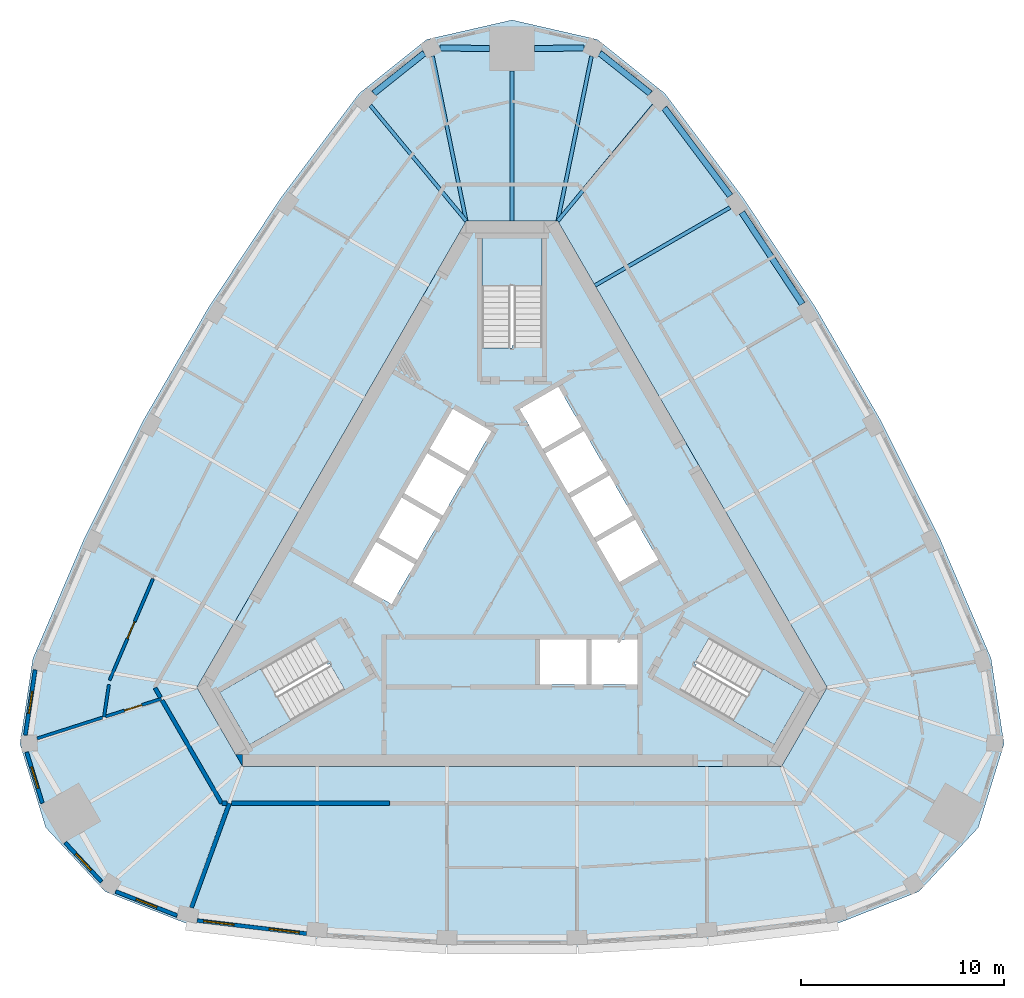
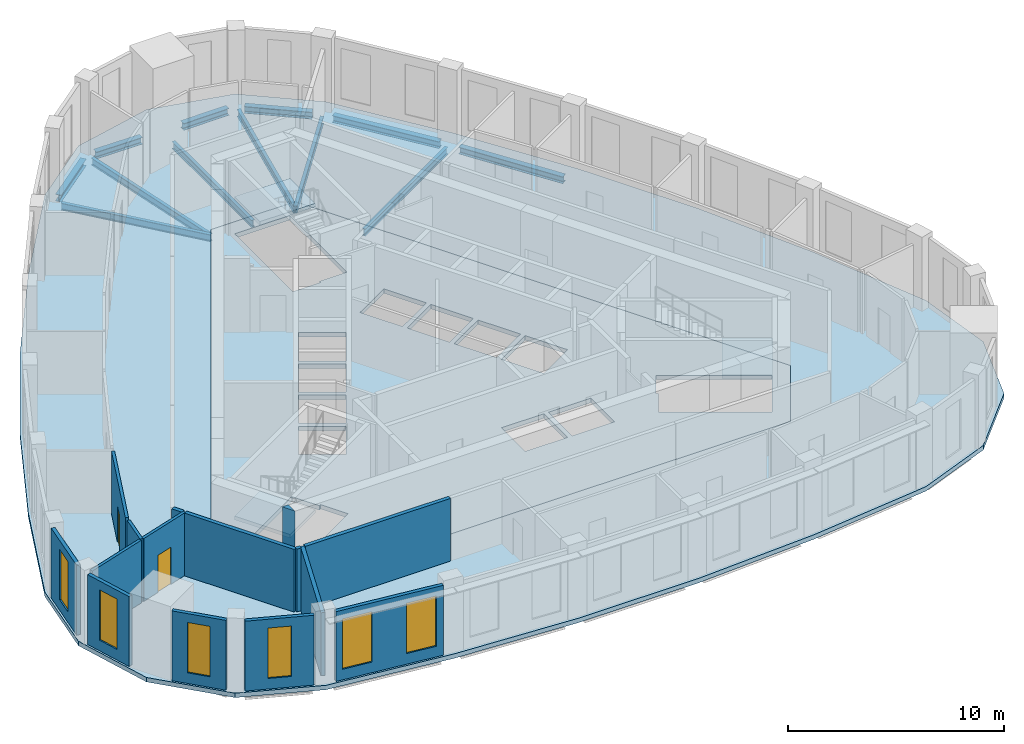
# One storey, part 2 of 10: 15 walls, 12 beams, 6 windows, 5 slabs, 2 doors, 8 openings, 3 elements without a shape of their own.
"""IFC4 building model written with IfcOpenShell, lengths in metres."""

from ifc_helpers import new_model, si_unit, direction, frame, frame_2d, origin, origin_2d, place, context, subcontext, project, spatial, polyline, rectangle, i_section, outline, extrude, material, layer, layer_set, material_profile, profile_set, type_object, element, fill, aggregate, save


model = new_model("IFC4")

# Units and contexts
model_context = context("Model", 3, precision=1e-05, world=origin(), true_north=direction((0.0, 1.0)))
body_context = subcontext(model_context, "Body", "Model", "MODEL_VIEW")
ifc_project = project(units=[si_unit("LENGTHUNIT", "METRE"), si_unit("AREAUNIT", "SQUARE_METRE"), si_unit("VOLUMEUNIT", "CUBIC_METRE"), si_unit("PLANEANGLEUNIT", "RADIAN"), si_unit("MASSUNIT", "GRAM", prefix="KILO")], contexts=[model_context])

# Site, building, storey
site_placement = place(None, origin())
site = spatial("IfcSite", under=ifc_project, at=site_placement, CompositionType="ELEMENT")
building_placement = place(site_placement, origin())
building = spatial("IfcBuilding", under=site, at=building_placement, Name="Mestral Congress Tower", CompositionType="ELEMENT")
storey_placement = place(building_placement, frame((0.0, 0.0, 271.199951171875)))
storey = spatial("IfcBuildingStorey", under=building, at=storey_placement, Name="L63", CompositionType="ELEMENT", Elevation=271.199951171875)

# Beams
ifc_material_1 = material(Name="Steel S355", Category="steel")
ifc_material_profile_1 = material_profile(ifc_material_1, i_section(OverallWidth=0.179931640625, OverallDepth=0.39990234375, WebThickness=0.008544921875, FlangeThickness=0.013427734375, FilletRadius=0.02099609375, at=origin_2d()), Name="IPE 400")
ifc_profile_set_1 = profile_set([ifc_material_profile_1], Name="Steel S355")
beam_type_1 = type_object("IfcBeamType", Name="Floor beam IPE 400 S355", PredefinedType="BEAM", material=ifc_profile_set_1)
beam_1_placement = place(storey_placement, frame((10.7275390625, 17.263916015625, -0.449951171875), z_axis=(-0.866019720907, -0.500009842903, 0.0), x_axis=(0.500009842903, -0.866019720907, 0.0)))
element("IfcBeam", 1, at=beam_1_placement, inside=storey, type_object=beam_type_1, Name="BM-L63-RB5-E04", PredefinedType="BEAM", context=body_context, shape_type="SweptSolid", body=[
    extrude(i_section(OverallWidth=0.179931640625, OverallDepth=0.39990234375, WebThickness=0.008544921875, FlangeThickness=0.013427734375, FilletRadius=0.02099609375, at=origin_2d()), origin(), (0.0, 0.0, 1.0), 7.672119140625),
])
beam_2_placement = place(storey_placement, frame((6.969970703125, 22.2890625, -0.449951171875), z_axis=(-0.638382651591, -0.769719163168, 0.0), x_axis=(0.769719163168, -0.638382651591, 0.0)))
element("IfcBeam", 2, at=beam_2_placement, inside=storey, type_object=beam_type_1, Name="BM-L63-RB5-E05", PredefinedType="BEAM", context=body_context, shape_type="SweptSolid", body=[
    extrude(i_section(OverallWidth=0.179931640625, OverallDepth=0.39990234375, WebThickness=0.008544921875, FlangeThickness=0.013427734375, FilletRadius=0.02099609375, at=origin_2d()), origin(), (0.0, 0.0, 1.0), 7.390869140625),
])
beam_3_placement = place(storey_placement, frame((3.910888671875, 24.7119140625, -0.449951171875), z_axis=(-0.200389803804, -0.979716247967, 0.0), x_axis=(0.979716247967, -0.200389803804, 0.0)))
element("IfcBeam", 3, at=beam_3_placement, inside=storey, type_object=beam_type_1, Name="BM-L63-RB5-N1", PredefinedType="BEAM", context=body_context, shape_type="SweptSolid", body=[
    extrude(i_section(OverallWidth=0.179931640625, OverallDepth=0.39990234375, WebThickness=0.008544921875, FlangeThickness=0.013427734375, FilletRadius=0.02099609375, at=origin_2d()), origin(), (0.0, 0.0, 1.0), 8.27978515625),
])
beam_4_placement = place(storey_placement, frame((0.0, 23.97802734375, -0.449951171875), z_axis=(0.0, -1.0, 0.0), x_axis=(1.0, 0.0, 0.0)))
element("IfcBeam", 4, at=beam_4_placement, inside=storey, type_object=beam_type_1, Name="BM-L63-RB5-N", PredefinedType="BEAM", context=body_context, shape_type="SweptSolid", body=[
    extrude(i_section(OverallWidth=0.179931640625, OverallDepth=0.39990234375, WebThickness=0.008544921875, FlangeThickness=0.013427734375, FilletRadius=0.02099609375, at=origin_2d()), origin(), (0.0, 0.0, 1.0), 7.3779296875),
])
beam_5_placement = place(storey_placement, frame((-3.910888671875, 24.7119140625, -0.449951171875), z_axis=(0.200389803804, -0.979716247967, 0.0), x_axis=(0.979716247967, 0.200389803804, 0.0)))
element("IfcBeam", 5, at=beam_5_placement, inside=storey, type_object=beam_type_1, Name="BM-L63-RB5-N3", PredefinedType="BEAM", context=body_context, shape_type="SweptSolid", body=[
    extrude(i_section(OverallWidth=0.179931640625, OverallDepth=0.39990234375, WebThickness=0.008544921875, FlangeThickness=0.013427734375, FilletRadius=0.02099609375, at=origin_2d()), origin(), (0.0, 0.0, 1.0), 8.27978515625),
])
beam_6_placement = place(storey_placement, frame((-6.969970703125, 22.2890625, -0.449951171875), z_axis=(0.638382651591, -0.769719163168, 0.0), x_axis=(0.769719163168, 0.638382651591, 0.0)))
element("IfcBeam", 6, at=beam_6_placement, inside=storey, type_object=beam_type_1, Name="BM-L63-RB5-W00", PredefinedType="BEAM", context=body_context, shape_type="SweptSolid", body=[
    extrude(i_section(OverallWidth=0.179931640625, OverallDepth=0.39990234375, WebThickness=0.008544921875, FlangeThickness=0.013427734375, FilletRadius=0.02099609375, at=origin_2d()), origin(), (0.0, 0.0, 1.0), 7.390869140625),
])
ifc_material_profile_2 = material_profile(ifc_material_1, i_section(OverallWidth=0.300048828125, OverallDepth=0.389892578125, WebThickness=0.010986328125, FlangeThickness=0.01904296875, FilletRadius=0.027099609375, at=origin_2d()), Name="HEA 400")
ifc_profile_set_2 = profile_set([ifc_material_profile_2], Name="Steel S355")
beam_type_2 = type_object("IfcBeamType", Name="Spandrel beam HEA 400 S355", PredefinedType="BEAM", material=ifc_profile_set_2)
beam_7_placement = place(storey_placement, frame((14.280517578125, 12.51611328125, -0.445068359375), z_axis=(-0.550748957655, 0.83467094453, 0.0), x_axis=(-0.83467094453, -0.550748957655, 0.0)))
element("IfcBeam", 7, at=beam_7_placement, inside=storey, type_object=beam_type_2, Name="SP-L63-SB5-E03", PredefinedType="BEAM", context=body_context, shape_type="SweptSolid", body=[
    extrude(i_section(OverallWidth=0.300048828125, OverallDepth=0.389892578125, WebThickness=0.010986328125, FlangeThickness=0.01904296875, FilletRadius=0.027099609375, at=origin_2d()), origin(), (0.0, 0.0, 1.0), 5.3984375),
])
beam_8_placement = place(storey_placement, frame((10.73193359375, 17.83984375, -0.445068359375), z_axis=(-0.599529393236, 0.800352738888, 0.0), x_axis=(-0.800352738888, -0.599529393236, 0.0)))
element("IfcBeam", 8, at=beam_8_placement, inside=storey, type_object=beam_type_2, Name="SP-L63-SB5-E04", PredefinedType="BEAM", context=body_context, shape_type="SweptSolid", body=[
    extrude(i_section(OverallWidth=0.300048828125, OverallDepth=0.389892578125, WebThickness=0.010986328125, FlangeThickness=0.01904296875, FilletRadius=0.027099609375, at=origin_2d()), origin(), (0.0, 0.0, 1.0), 5.396484375),
])
beam_9_placement = place(storey_placement, frame((6.7998046875, 22.876708984375, -0.445068359375), z_axis=(-0.781647188603, 0.623720829016, 0.0), x_axis=(-0.623720829016, -0.781647188603, 0.0)))
element("IfcBeam", 9, at=beam_9_placement, inside=storey, type_object=beam_type_2, Name="SP-L63-SB5-E05", PredefinedType="BEAM", context=body_context, shape_type="SweptSolid", body=[
    extrude(i_section(OverallWidth=0.300048828125, OverallDepth=0.389892578125, WebThickness=0.010986328125, FlangeThickness=0.01904296875, FilletRadius=0.027099609375, at=origin_2d()), origin(), (0.0, 0.0, 1.0), 3.179931640625),
])
for number, where, z_axis, x_axis, name in (
    (10, (3.54736328125, 25.11181640625, -0.445068359375), (-0.999955093848, -0.009476829002, 0.0), (0.009476829002, -0.999955093848, 0.0), "SP-L63-SB5-N1"),
    (11, (-1.10009765625, 25.088623046875, -0.445068359375), (-0.999955093848, 0.009476829002, 0.0), (-0.009476829002, -0.999955093848, 0.0), "SP-L63-SB5-N"),
):
    element("IfcBeam", number, at=place(storey_placement, frame(where, z_axis=z_axis, x_axis=x_axis)), inside=storey, type_object=beam_type_2, Name=name, PredefinedType="BEAM", context=body_context, shape_type="SweptSolid", body=[
        extrude(i_section(OverallWidth=0.300048828125, OverallDepth=0.389892578125, WebThickness=0.010986328125, FlangeThickness=0.01904296875, FilletRadius=0.027099609375, at=origin_2d()), origin(), (0.0, 0.0, 1.0), 2.447265625),
    ])
beam_10_placement = place(storey_placement, frame((-4.314208984375, 24.860107421875, -0.445068359375), z_axis=(-0.781647188603, -0.623720829016, 0.0), x_axis=(0.623720829016, -0.781647188603, 0.0)))
element("IfcBeam", 12, at=beam_10_placement, inside=storey, type_object=beam_type_2, Name="SP-L63-SB5-N3", PredefinedType="BEAM", context=body_context, shape_type="SweptSolid", body=[
    extrude(i_section(OverallWidth=0.300048828125, OverallDepth=0.389892578125, WebThickness=0.010986328125, FlangeThickness=0.01904296875, FilletRadius=0.027099609375, at=origin_2d()), origin(), (0.0, 0.0, 1.0), 3.179931640625),
])

# Slabs
ifc_material_2 = material(Name="Concrete C35/45", Category="concrete")
ifc_layer_1 = layer(ifc_material_2, 0.25)
ifc_layer_set_1 = layer_set([ifc_layer_1], Name="Concrete C35/45")
slab_type_1 = type_object("IfcSlabType", Name="Composite floor slab 250", PredefinedType="FLOOR", material=ifc_layer_set_1)
placement_1 = place(storey_placement, frame((0.0, 0.0, -0.25)))
element("IfcSlab", 13, at=placement_1, inside=storey, type_object=slab_type_1, Name="SL-L63", PredefinedType="FLOOR", context=body_context, shape_type="SweptSolid", body=[
    extrude(outline(polyline([(-16.051513671875, -17.951904296875), (-20.014404296875, -16.39794921875), (-22.940673828125, -13.244873046875), (-24.208251953125, -9.1337890625), (-23.572509765625, -4.925048828125), (-21.027587890625, 1.0234375), (-18.152099609375, 6.77001953125), (-14.939208984375, 12.335205078125), (-11.400146484375, 17.698486328125), (-7.52099609375, 22.876953125), (-4.19384765625, 25.531982421875), (0.0, 26.48974609375), (4.19384765625, 25.531982421875), (7.52099609375, 22.876953125), (11.400146484375, 17.698486328125), (14.939208984375, 12.335205078125), (18.152099609375, 6.77001953125), (21.027587890625, 1.0234375), (23.572509765625, -4.925048828125), (24.208251953125, -9.1337890625), (22.940673828125, -13.244873046875), (20.014404296875, -16.39794921875), (16.051513671875, -17.951904296875), (9.62744140625, -18.72216796875), (3.212890625, -19.105224609375), (-3.212890625, -19.105224609375), (-9.62744140625, -18.72216796875), (-16.051513671875, -17.951904296875)]), holes=[polyline([(-2.251708984375, 16.60009765625), (-15.501953125, -6.35009765625), (-13.250244140625, -10.25), (13.250244140625, -10.25), (15.501953125, -6.35009765625), (2.251708984375, 16.60009765625), (-2.251708984375, 16.60009765625)])]), origin(), (0.0, 0.0, 1.0), 0.25),
])
ifc_material_3 = material(Name="Concrete C60/75", Category="concrete")
ifc_layer_2 = layer(ifc_material_3, 0.25)
ifc_layer_set_2 = layer_set([ifc_layer_2], Name="Concrete C60/75")
slab_type_2 = type_object("IfcSlabType", Name="Core floor slab RC 250", PredefinedType="FLOOR", material=ifc_layer_set_2)
element("IfcSlab", 14, at=placement_1, inside=storey, type_object=slab_type_2, Name="L63 core floor", PredefinedType="FLOOR", context=body_context, shape_type="SweptSolid", body=[
    extrude(outline(polyline([(13.250244140625, -10.25), (-13.250244140625, -10.25), (-15.501953125, -6.35009765625), (-2.251708984375, 16.60009765625), (2.251708984375, 16.60009765625), (15.501953125, -6.35009765625), (13.250244140625, -10.25)]), holes=[polyline([(-14.37744140625, -6.59765625), (-12.90234375, -9.15234375), (-8.234619140625, -6.45751953125), (-8.971923828125, -5.179931640625), (-9.0673828125, -5.235107421875), (-9.8046875, -3.95751953125), (-14.37744140625, -6.59765625)]), polyline([(-5.921630859375, -2.256591796875), (-4.78662109375, -0.29052734375), (-6.69189453125, 0.809326171875), (-7.826904296875, -1.156494140625), (-5.921630859375, -2.256591796875)]), polyline([(-4.66162109375, -0.07421875), (-3.526611328125, 1.8916015625), (-5.431884765625, 2.99169921875), (-6.56689453125, 1.02587890625), (-4.66162109375, -0.07421875)]), polyline([(-2.2666015625, 4.07421875), (-4.171875, 5.174072265625), (-5.306884765625, 3.208251953125), (-3.401611328125, 2.1083984375), (-2.2666015625, 4.07421875)]), polyline([(-2.1416015625, 4.29052734375), (-1.006591796875, 6.256591796875), (-2.911865234375, 7.3564453125), (-4.046875, 5.390625), (-2.1416015625, 4.29052734375)]), polyline([(0.376708984375, 7.34765625), (1.51171875, 5.3818359375), (3.4169921875, 6.481689453125), (2.281982421875, 8.44775390625), (0.376708984375, 7.34765625)]), polyline([(1.47509765625, 15.75), (-1.47509765625, 15.75), (-1.47509765625, 10.360107421875), (0.0, 10.360107421875), (0.0, 10.469970703125), (1.47509765625, 10.469970703125), (1.47509765625, 15.75)]), polyline([(8.329833984375, -6.512451171875), (12.90234375, -9.15234375), (14.37744140625, -6.59765625), (9.70947265625, -3.902587890625), (8.971923828125, -5.179931640625), (9.0673828125, -5.235107421875), (8.329833984375, -6.512451171875)]), polyline([(3.655029296875, -4.0), (1.385009765625, -4.0), (1.385009765625, -6.199951171875), (3.655029296875, -6.199951171875), (3.655029296875, -4.0)]), polyline([(6.175048828125, -4.0), (3.905029296875, -4.0), (3.905029296875, -6.199951171875), (6.175048828125, -6.199951171875), (6.175048828125, -4.0)]), polyline([(4.156494140625, 0.800537109375), (5.29150390625, -1.165283203125), (7.197021484375, -0.065185546875), (6.06201171875, 1.900634765625), (4.156494140625, 0.800537109375)]), polyline([(2.896484375, 2.98291015625), (4.031494140625, 1.01708984375), (5.93701171875, 2.1171875), (4.802001953125, 4.0830078125), (2.896484375, 2.98291015625)]), polyline([(1.63671875, 5.165283203125), (2.771484375, 3.199462890625), (4.677001953125, 4.29931640625), (3.5419921875, 6.265380859375), (1.63671875, 5.165283203125)])]), origin(), (0.0, 0.0, 1.0), 0.25),
])

# Stair, slab
stair_type = type_object("IfcStairType", Name="Exit stair 1400", PredefinedType="HALF_TURN_STAIR", material=ifc_material_3)
placement_2 = place(storey_placement, origin())
stair_1 = element("IfcStair", 15, at=placement_2, inside=storey, type_object=stair_type, Name="L63 ST1", PredefinedType="HALF_TURN_STAIR")
ifc_layer_3 = layer(ifc_material_3, 0.199951171875)
ifc_layer_set_3 = layer_set([ifc_layer_3], Name="Concrete C60/75")
slab_type_3 = type_object("IfcSlabType", Name="Exit stair landing 200", PredefinedType="LANDING", material=ifc_layer_set_3)
placement_3 = place(storey_placement, frame((0.0, 0.0, 1.900146484375)))
slab_3 = element("IfcSlab", 16, at=placement_3, type_object=slab_type_3, Name="ST1 landing 1", PredefinedType="LANDING", context=body_context, shape_type="SweptSolid", body=[
    extrude(outline(polyline([(10.879638671875, -7.99609375), (12.364501953125, -5.424072265625), (14.39111328125, -6.593994140625), (12.906005859375, -9.166015625), (10.879638671875, -7.99609375)])), origin(), (0.0, 0.0, 1.0), 0.199951171875),
])
aggregate(stair_1, [slab_3])

stair_2 = element("IfcStair", 17, at=placement_2, inside=storey, type_object=stair_type, Name="L63 ST2", PredefinedType="HALF_TURN_STAIR")
slab_4 = element("IfcSlab", 18, at=placement_3, type_object=slab_type_3, Name="ST2 landing 1", PredefinedType="LANDING", context=body_context, shape_type="SweptSolid", body=[
    extrude(outline(polyline([(1.485107421875, 13.419921875), (-1.485107421875, 13.419921875), (-1.485107421875, 15.760009765625), (1.485107421875, 15.760009765625), (1.485107421875, 13.419921875)])), origin(), (0.0, 0.0, 1.0), 0.199951171875),
])
aggregate(stair_2, [slab_4])

stair_3 = element("IfcStair", 19, at=placement_2, inside=storey, type_object=stair_type, Name="L63 ST3", PredefinedType="HALF_TURN_STAIR")
slab_5 = element("IfcSlab", 20, at=placement_3, type_object=slab_type_3, Name="ST3 landing 1", PredefinedType="LANDING", context=body_context, shape_type="SweptSolid", body=[
    extrude(outline(polyline([(-12.364501953125, -5.424072265625), (-10.879638671875, -7.99609375), (-12.906005859375, -9.166015625), (-14.39111328125, -6.593994140625), (-12.364501953125, -5.424072265625)])), origin(), (0.0, 0.0, 1.0), 0.199951171875),
])
aggregate(stair_3, [slab_5])

# Wall
ifc_layer_4 = layer(ifc_material_3, 0.60009765625)
ifc_layer_set_4 = layer_set([ifc_layer_4], Name="Concrete C60/75")
wall_type_1 = type_object("IfcWallType", Name="Core wall RC 600", PredefinedType="SOLIDWALL", material=ifc_layer_set_4)
element("IfcWall", 21, at=placement_2, inside=storey, type_object=wall_type_1, Name="L63 core wall", PredefinedType="SOLIDWALL", context=body_context, shape_type="SweptSolid", body=[
    extrude(outline(polyline([(-13.5966796875, -9.64990234375), (-13.258544921875, -9.64990234375), (-13.258544921875, -10.235595703125), (-13.5966796875, -9.64990234375)])), origin(), (0.0, 0.0, 1.0), 4.199951171875),
])

# Wall, openings, windows
ifc_material_4 = material(Name="Precast concrete C40/50 with limestone facing", Category="masonry")
ifc_layer_5 = layer(ifc_material_4, 0.18994140625)
ifc_layer_set_5 = layer_set([ifc_layer_5], Name="Precast concrete C40/50 with limestone facing")
wall_type_2 = type_object("IfcWallType", Name="Facade stone wall 190", PredefinedType="SOLIDWALL", material=ifc_layer_set_5)
wall_2_placement = place(storey_placement, frame((-15.487060546875, -17.822998046875, 0.0), z_axis=(0.0, 0.0, 1.0), x_axis=(0.992885582795, -0.119072328769, 0.0)))
wall_2 = element("IfcWall", 22, at=wall_2_placement, inside=storey, type_object=wall_type_2, Name="Facade wall F0-00", PredefinedType="SOLIDWALL", context=body_context, shape_type="SweptSolid", body=[
    extrude(rectangle(XDim=5.4150390625, YDim=0.18994140625, at=frame_2d((2.70751953125, 0.0))), origin(), (0.0, 0.0, 1.0), 3.949951171875),
])
opening_1_placement = place(wall_2_placement, frame((0.322509765625, 0.0, 0.60009765625)))
opening_1 = element("IfcOpeningElement", 23, at=opening_1_placement, cuts=wall_2, Name="Opening W6", PredefinedType="OPENING", context=body_context, shape_type="SweptSolid", body=[
    extrude(rectangle(XDim=1.5, YDim=2.85009765625, at=frame_2d((0.75, 1.425048828125))), frame((0.0, 0.10498046875, 0.0), z_axis=(0.0, -1.0, 0.0), x_axis=(1.0, 0.0, 0.0)), (0.0, 0.0, 1.0), 0.2099609375),
])
opening_2_placement = place(wall_2_placement, frame((3.5576171875, 0.0, 0.60009765625)))
opening_2 = element("IfcOpeningElement", 24, at=opening_2_placement, cuts=wall_2, Name="Opening W6", PredefinedType="OPENING", context=body_context, shape_type="SweptSolid", body=[
    extrude(rectangle(XDim=1.5, YDim=2.85009765625, at=frame_2d((0.75, 1.425048828125))), frame((0.0, 0.10498046875, 0.0), z_axis=(0.0, -1.0, 0.0), x_axis=(1.0, 0.0, 0.0)), (0.0, 0.0, 1.0), 0.2099609375),
])
ifc_material_5 = material(Name="Clear low-emissivity double glazing", Category="glass")
window_type_1 = type_object("IfcWindowType", Name="Facade punched window 1500 x 2850 sill 600", PartitioningType="SINGLE_PANEL", PredefinedType="WINDOW", material=ifc_material_5)
window_1_placement = place(opening_1_placement, origin())
window_1 = element("IfcWindow", 25, at=window_1_placement, inside=storey, type_object=window_type_1, Name="Window F0-00a", OverallHeight=2.85009765625, OverallWidth=1.5, PartitioningType="SINGLE_PANEL", PredefinedType="WINDOW", context=body_context, shape_type="SweptSolid", body=[
    extrude(rectangle(XDim=1.5, YDim=2.85009765625, at=frame_2d((0.75, 1.425048828125))), frame((0.0, 0.044921875, 0.0), z_axis=(0.0, -1.0, 0.0), x_axis=(1.0, 0.0, 0.0)), (0.0, 0.0, 1.0), 0.06005859375),
])
fill(opening_1, window_1)
window_2_placement = place(opening_2_placement, origin())
window_2 = element("IfcWindow", 26, at=window_2_placement, inside=storey, type_object=window_type_1, Name="Window F0-00b", OverallHeight=2.85009765625, OverallWidth=1.5, PartitioningType="SINGLE_PANEL", PredefinedType="WINDOW", context=body_context, shape_type="SweptSolid", body=[
    extrude(rectangle(XDim=1.5, YDim=2.85009765625, at=frame_2d((0.75, 1.425048828125))), frame((0.0, 0.044921875, 0.0), z_axis=(0.0, -1.0, 0.0), x_axis=(1.0, 0.0, 0.0)), (0.0, 0.0, 1.0), 0.06005859375),
])
fill(opening_2, window_2)

# Wall, opening, window
wall_3_placement = place(storey_placement, frame((-23.460205078125, -5.488037109375, 0.0), z_axis=(0.0, 0.0, 1.0), x_axis=(-0.149421055602, -0.988773658702, 0.0)))
wall_3 = element("IfcWall", 27, at=wall_3_placement, inside=storey, type_object=wall_type_2, Name="Facade wall K2-0", PredefinedType="SOLIDWALL", context=body_context, shape_type="SweptSolid", body=[
    extrude(rectangle(XDim=3.23681640625, YDim=0.18994140625, at=frame_2d((1.618408203125, 0.0))), origin(), (0.0, 0.0, 1.0), 3.949951171875),
])
opening_3_placement = place(wall_3_placement, frame((1.068359375, 0.0, 0.60009765625)))
opening_3 = element("IfcOpeningElement", 28, at=opening_3_placement, cuts=wall_3, Name="Opening W7", PredefinedType="OPENING", context=body_context, shape_type="SweptSolid", body=[
    extrude(rectangle(XDim=1.10009765625, YDim=2.85009765625, at=frame_2d((0.550048828125, 1.425048828125))), frame((0.0, 0.10498046875, 0.0), z_axis=(0.0, -1.0, 0.0), x_axis=(1.0, 0.0, 0.0)), (0.0, 0.0, 1.0), 0.2099609375),
])
window_type_2 = type_object("IfcWindowType", Name="Facade punched window 1100 x 2850 sill 600", PartitioningType="SINGLE_PANEL", PredefinedType="WINDOW", material=ifc_material_5)
window_3_placement = place(opening_3_placement, origin())
window_3 = element("IfcWindow", 29, at=window_3_placement, inside=storey, type_object=window_type_2, Name="Window K2-0", OverallHeight=2.85009765625, OverallWidth=1.10009765625, PartitioningType="SINGLE_PANEL", PredefinedType="WINDOW", context=body_context, shape_type="SweptSolid", body=[
    extrude(rectangle(XDim=1.10009765625, YDim=2.85009765625, at=frame_2d((0.550048828125, 1.425048828125))), frame((0.0, 0.044921875, 0.0), z_axis=(0.0, -1.0, 0.0), x_axis=(1.0, 0.0, 0.0)), (0.0, 0.0, 1.0), 0.06005859375),
])
fill(opening_3, window_3)

wall_4_placement = place(storey_placement, frame((-23.880615234375, -9.53515625, 0.0), z_axis=(0.0, 0.0, 1.0), x_axis=(0.294706210429, -0.9555879078, 0.0)))
wall_4 = element("IfcWall", 30, at=wall_4_placement, inside=storey, type_object=wall_type_2, Name="Facade wall K2-1", PredefinedType="SOLIDWALL", context=body_context, shape_type="SweptSolid", body=[
    extrude(rectangle(XDim=2.626953125, YDim=0.18994140625, at=frame_2d((1.3134765625, 0.0))), origin(), (0.0, 0.0, 1.0), 3.949951171875),
])
opening_4_placement = place(wall_4_placement, frame((0.763427734375, 0.0, 0.60009765625)))
opening_4 = element("IfcOpeningElement", 31, at=opening_4_placement, cuts=wall_4, Name="Opening W7", PredefinedType="OPENING", context=body_context, shape_type="SweptSolid", body=[
    extrude(rectangle(XDim=1.10009765625, YDim=2.85009765625, at=frame_2d((0.550048828125, 1.425048828125))), frame((0.0, 0.10498046875, 0.0), z_axis=(0.0, -1.0, 0.0), x_axis=(1.0, 0.0, 0.0)), (0.0, 0.0, 1.0), 0.2099609375),
])
window_4_placement = place(opening_4_placement, origin())
window_4 = element("IfcWindow", 32, at=window_4_placement, inside=storey, type_object=window_type_2, Name="Window K2-1", OverallHeight=2.85009765625, OverallWidth=1.10009765625, PartitioningType="SINGLE_PANEL", PredefinedType="WINDOW", context=body_context, shape_type="SweptSolid", body=[
    extrude(rectangle(XDim=1.10009765625, YDim=2.85009765625, at=frame_2d((0.550048828125, 1.425048828125))), frame((0.0, 0.044921875, 0.0), z_axis=(0.0, -1.0, 0.0), x_axis=(1.0, 0.0, 0.0)), (0.0, 0.0, 1.0), 0.06005859375),
])
fill(opening_4, window_4)

wall_5_placement = place(storey_placement, frame((-21.98486328125, -13.988037109375, 0.0), z_axis=(0.0, 0.0, 1.0), x_axis=(0.680219354823, -0.733008614768, 0.0)))
wall_5 = element("IfcWall", 33, at=wall_5_placement, inside=storey, type_object=wall_type_2, Name="Facade wall K2-2", PredefinedType="SOLIDWALL", context=body_context, shape_type="SweptSolid", body=[
    extrude(rectangle(XDim=2.626953125, YDim=0.18994140625, at=frame_2d((1.3134765625, 0.0))), origin(), (0.0, 0.0, 1.0), 3.949951171875),
])
opening_5_placement = place(wall_5_placement, frame((0.763427734375, 0.0, 0.60009765625)))
opening_5 = element("IfcOpeningElement", 34, at=opening_5_placement, cuts=wall_5, Name="Opening W7", PredefinedType="OPENING", context=body_context, shape_type="SweptSolid", body=[
    extrude(rectangle(XDim=1.10009765625, YDim=2.85009765625, at=frame_2d((0.550048828125, 1.425048828125))), frame((0.0, 0.10498046875, 0.0), z_axis=(0.0, -1.0, 0.0), x_axis=(1.0, 0.0, 0.0)), (0.0, 0.0, 1.0), 0.2099609375),
])
window_5_placement = place(opening_5_placement, origin())
window_5 = element("IfcWindow", 35, at=window_5_placement, inside=storey, type_object=window_type_2, Name="Window K2-2", OverallHeight=2.85009765625, OverallWidth=1.10009765625, PartitioningType="SINGLE_PANEL", PredefinedType="WINDOW", context=body_context, shape_type="SweptSolid", body=[
    extrude(rectangle(XDim=1.10009765625, YDim=2.85009765625, at=frame_2d((0.550048828125, 1.425048828125))), frame((0.0, 0.044921875, 0.0), z_axis=(0.0, -1.0, 0.0), x_axis=(1.0, 0.0, 0.0)), (0.0, 0.0, 1.0), 0.06005859375),
])
fill(opening_5, window_5)

wall_6_placement = place(storey_placement, frame((-19.496337890625, -16.3916015625, 0.0), z_axis=(0.0, 0.0, 1.0), x_axis=(0.93100888477, -0.364996515709, 0.0)))
wall_6 = element("IfcWall", 36, at=wall_6_placement, inside=storey, type_object=wall_type_2, Name="Facade wall K2-3", PredefinedType="SOLIDWALL", context=body_context, shape_type="SweptSolid", body=[
    extrude(rectangle(XDim=3.23681640625, YDim=0.18994140625, at=frame_2d((1.618408203125, 0.0))), origin(), (0.0, 0.0, 1.0), 3.949951171875),
])
opening_6_placement = place(wall_6_placement, frame((1.068359375, 0.0, 0.60009765625)))
opening_6 = element("IfcOpeningElement", 37, at=opening_6_placement, cuts=wall_6, Name="Opening W7", PredefinedType="OPENING", context=body_context, shape_type="SweptSolid", body=[
    extrude(rectangle(XDim=1.10009765625, YDim=2.85009765625, at=frame_2d((0.550048828125, 1.425048828125))), frame((0.0, 0.10498046875, 0.0), z_axis=(0.0, -1.0, 0.0), x_axis=(1.0, 0.0, 0.0)), (0.0, 0.0, 1.0), 0.2099609375),
])
window_6_placement = place(opening_6_placement, origin())
window_6 = element("IfcWindow", 38, at=window_6_placement, inside=storey, type_object=window_type_2, Name="Window K2-3", OverallHeight=2.85009765625, OverallWidth=1.10009765625, PartitioningType="SINGLE_PANEL", PredefinedType="WINDOW", context=body_context, shape_type="SweptSolid", body=[
    extrude(rectangle(XDim=1.10009765625, YDim=2.85009765625, at=frame_2d((0.550048828125, 1.425048828125))), frame((0.0, 0.044921875, 0.0), z_axis=(0.0, -1.0, 0.0), x_axis=(1.0, 0.0, 0.0)), (0.0, 0.0, 1.0), 0.06005859375),
])
fill(opening_6, window_6)

# Wall, opening, door
ifc_material_6 = material(Name="Plasterboard partition on steel studs", Category="steel")
ifc_layer_6 = layer(ifc_material_6, 0.14990234375)
ifc_layer_set_6 = layer_set([ifc_layer_6], Name="Plasterboard partition on steel studs")
wall_type_3 = type_object("IfcWallType", Name="Office partition 150", PredefinedType="PARTITIONING", material=ifc_layer_set_6)
wall_7_placement = place(storey_placement, frame((-19.80029296875, -5.997802734375, 0.0), z_axis=(0.0, 0.0, 1.0), x_axis=(0.39332238233, 0.919400621904, 0.0)))
wall_7 = element("IfcWall", 39, at=wall_7_placement, inside=storey, type_object=wall_type_3, Name="Partition", PredefinedType="PARTITIONING", context=body_context, shape_type="SweptSolid", body=[
    extrude(rectangle(XDim=5.4306640625, YDim=0.14990234375, at=frame_2d((2.71533203125, 0.0))), origin(), (0.0, 0.0, 1.0), 3.550048828125),
])
opening_7_placement = place(wall_7_placement, frame((2.230712890625, 0.0, 0.0)))
opening_7 = element("IfcOpeningElement", 40, at=opening_7_placement, cuts=wall_7, Name="Opening O11-017", PredefinedType="OPENING", context=body_context, shape_type="SweptSolid", body=[
    extrude(rectangle(XDim=0.89990234375, YDim=2.10009765625, at=frame_2d((0.449951171875, 1.050048828125))), frame((0.0, 0.0849609375, 0.0), z_axis=(0.0, -1.0, 0.0), x_axis=(1.0, 0.0, 0.0)), (0.0, 0.0, 1.0), 0.169921875),
])
ifc_material_7 = material(Name="Timber door set", Category="wood")
door_type = type_object("IfcDoorType", Name="Office door 900x2100", OperationType="SINGLE_SWING_LEFT", PredefinedType="DOOR", material=ifc_material_7)
door_1_placement = place(opening_7_placement, origin())
door_1 = element("IfcDoor", 41, at=door_1_placement, inside=storey, type_object=door_type, Name="Door O11-017", OperationType="SINGLE_SWING_LEFT", OverallHeight=2.10009765625, OverallWidth=0.89990234375, PredefinedType="DOOR", context=body_context, shape_type="SweptSolid", body=[
    extrude(rectangle(XDim=0.89990234375, YDim=2.10009765625, at=frame_2d((0.449951171875, 1.050048828125))), frame((0.0, 0.02490234375, 0.0), z_axis=(0.0, -1.0, 0.0), x_axis=(1.0, 0.0, 0.0)), (0.0, 0.0, 1.0), 0.050048828125),
])
fill(opening_7, door_1)

# Walls
wall_8_placement = place(storey_placement, frame((-19.83251953125, -6.209716796875, 0.0), z_axis=(0.0, 0.0, 1.0), x_axis=(-0.149305499664, -0.988791114326, 0.0)))
element("IfcWall", 42, at=wall_8_placement, inside=storey, type_object=wall_type_3, Name="Partition", PredefinedType="PARTITIONING", context=body_context, shape_type="SweptSolid", body=[
    extrude(rectangle(XDim=1.620361328125, YDim=0.14990234375, at=frame_2d((0.81005859375, 0.0))), origin(), (0.0, 0.0, 1.0), 3.550048828125),
])
wall_9_placement = place(storey_placement, frame((-20.154296875, -7.837646484375, 0.0), z_axis=(0.0, 0.0, 1.0), x_axis=(-0.952501497002, -0.304533903217, 0.0)))
element("IfcWall", 43, at=wall_9_placement, inside=storey, type_object=wall_type_3, Name="Partition", PredefinedType="PARTITIONING", context=body_context, shape_type="SweptSolid", body=[
    extrude(rectangle(XDim=3.370361328125, YDim=0.14990234375, at=frame_2d((1.68505859375, 0.0))), origin(), (0.0, 0.0, 1.0), 3.550048828125),
])

# Wall, opening, door
wall_10_placement = place(storey_placement, frame((-17.25634765625, -6.910888671875, 0.0), z_axis=(0.0, 0.0, 1.0), x_axis=(-0.95247639241, -0.304612412587, 0.0)))
wall_10 = element("IfcWall", 44, at=wall_10_placement, inside=storey, type_object=wall_type_3, Name="Partition", PredefinedType="PARTITIONING", context=body_context, shape_type="SweptSolid", body=[
    extrude(rectangle(XDim=2.875, YDim=0.14990234375, at=frame_2d((1.4375, 0.0))), origin(), (0.0, 0.0, 1.0), 3.550048828125),
])
opening_8_placement = place(wall_10_placement, frame((1.0, 0.0, 0.0)))
opening_8 = element("IfcOpeningElement", 45, at=opening_8_placement, cuts=wall_10, Name="Opening O11-019", PredefinedType="OPENING", context=body_context, shape_type="SweptSolid", body=[
    extrude(rectangle(XDim=0.89990234375, YDim=2.10009765625, at=frame_2d((0.449951171875, 1.050048828125))), frame((0.0, 0.0849609375, 0.0), z_axis=(0.0, -1.0, 0.0), x_axis=(1.0, 0.0, 0.0)), (0.0, 0.0, 1.0), 0.169921875),
])
door_2_placement = place(opening_8_placement, origin())
door_2 = element("IfcDoor", 46, at=door_2_placement, inside=storey, type_object=door_type, Name="Door O11-019", OperationType="SINGLE_SWING_RIGHT", OverallHeight=2.10009765625, OverallWidth=0.89990234375, PredefinedType="DOOR", context=body_context, shape_type="SweptSolid", body=[
    extrude(rectangle(XDim=0.89990234375, YDim=2.10009765625, at=frame_2d((0.449951171875, 1.050048828125))), frame((0.0, 0.02490234375, 0.0), z_axis=(0.0, -1.0, 0.0), x_axis=(1.0, 0.0, 0.0)), (0.0, 0.0, 1.0), 0.050048828125),
])
fill(opening_8, door_2)

# Walls
ifc_material_8 = material(Name="Dense masonry wall, plastered", Category="masonry")
ifc_layer_7 = layer(ifc_material_8, 0.199951171875)
ifc_layer_set_7 = layer_set([ifc_layer_7], Name="Dense masonry wall, plastered")
wall_type_4 = type_object("IfcWallType", Name="Office tenancy wall 200", PredefinedType="PARTITIONING", material=ifc_layer_set_7)
wall_11_placement = place(storey_placement, frame((-15.7744140625, -17.190185546875, 0.0), z_axis=(0.0, 0.0, 1.0), x_axis=(0.341821907823, 0.93976474893, 0.0)))
element("IfcWall", 47, at=wall_11_placement, inside=storey, type_object=wall_type_4, Name="Tenancy wall", PredefinedType="PARTITIONING", context=body_context, shape_type="SweptSolid", body=[
    extrude(rectangle(XDim=5.469482421875, YDim=0.199951171875, at=frame_2d((2.73486328125, 0.0))), origin(), (0.0, 0.0, 1.0), 3.550048828125),
])
wall_12_placement = place(storey_placement, frame((-13.798583984375, -12.050048828125, 0.0), z_axis=(0.0, 0.0, 1.0), x_axis=(1.0, 0.0, 0.0)))
element("IfcWall", 48, at=wall_12_placement, inside=storey, type_object=wall_type_4, Name="Tenancy wall", PredefinedType="PARTITIONING", context=body_context, shape_type="SweptSolid", body=[
    extrude(rectangle(XDim=7.7685546875, YDim=0.199951171875, at=frame_2d((3.88427734375, 0.0))), origin(), (0.0, 0.0, 1.0), 3.550048828125),
])
wall_13_placement = place(storey_placement, frame((-17.565185546875, -6.3759765625, 0.0), z_axis=(0.0, 0.0, 1.0), x_axis=(0.499683376352, -0.866208129376, 0.0)))
element("IfcWall", 49, at=wall_13_placement, inside=storey, type_object=wall_type_4, Name="Tenancy wall", PredefinedType="PARTITIONING", context=body_context, shape_type="SweptSolid", body=[
    extrude(rectangle(XDim=0.540771484375, YDim=0.199951171875, at=frame_2d((0.2705078125, 0.0))), origin(), (0.0, 0.0, 1.0), 3.550048828125),
])
wall_14_placement = place(storey_placement, frame((-17.218017578125, -6.9775390625, 0.0), z_axis=(0.0, 0.0, 1.0), x_axis=(0.500012299885, -0.866018302326, 0.0)))
element("IfcWall", 50, at=wall_14_placement, inside=storey, type_object=wall_type_4, Name="Tenancy wall", PredefinedType="PARTITIONING", context=body_context, shape_type="SweptSolid", body=[
    extrude(rectangle(XDim=5.857177734375, YDim=0.199951171875, at=frame_2d((2.9287109375, 0.0))), origin(), (0.0, 0.0, 1.0), 3.550048828125),
])
wall_15_placement = place(storey_placement, frame((-14.259521484375, -12.050048828125, 0.0), z_axis=(0.0, 0.0, 1.0), x_axis=(1.0, 0.0, 0.0)))
element("IfcWall", 51, at=wall_15_placement, inside=storey, type_object=wall_type_4, Name="Tenancy wall", PredefinedType="PARTITIONING", context=body_context, shape_type="SweptSolid", body=[
    extrude(rectangle(XDim=0.248291015625, YDim=0.199951171875, at=frame_2d((0.1240234375, 0.0))), origin(), (0.0, 0.0, 1.0), 3.550048828125),
])

save(model, "model.ifc")
